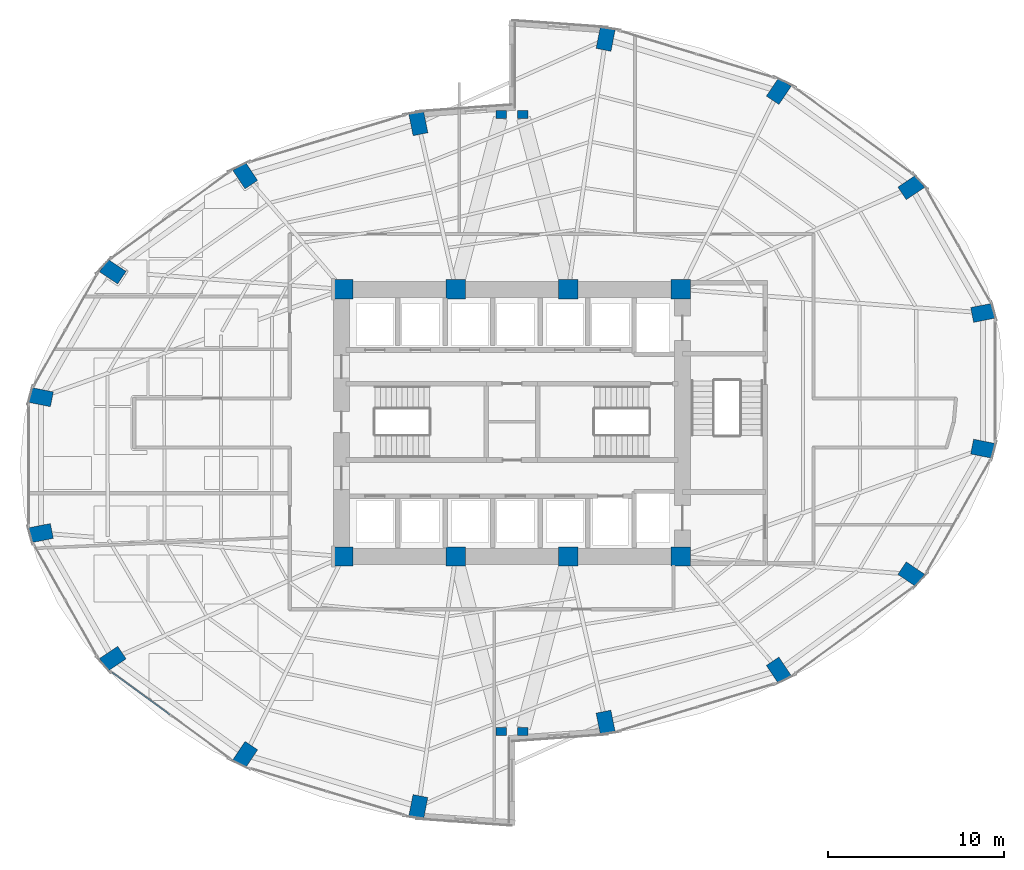
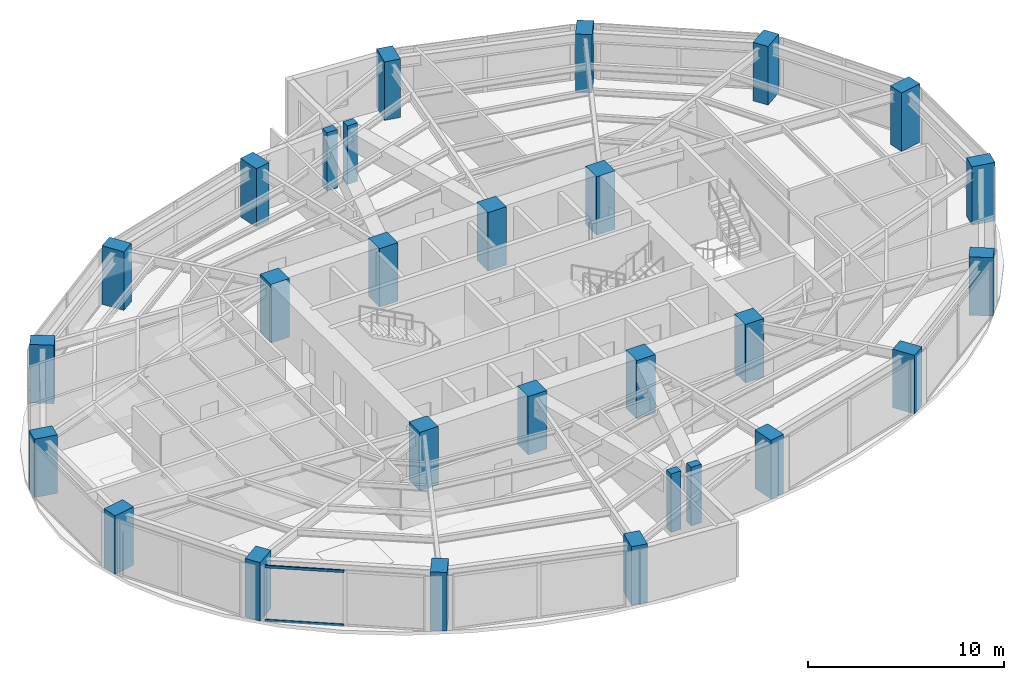
# One storey, part 1 of 24: 28 columns, 2 members, 1 element without a shape of its own.
"""IFC4 building model written with IfcOpenShell, lengths in metres."""

from ifc_helpers import new_model, si_unit, direction, frame, origin, origin_2d, place, context, subcontext, project, spatial, rectangle, hollow_rectangle, extrude, material, layer, layer_set, material_profile, profile_set, type_object, element, aggregate, save


model = new_model("IFC4")

# Units and contexts
model_context = context("Model", 3, precision=1e-05, world=origin(), true_north=direction((0.0, 1.0)))
body_context = subcontext(model_context, "Body", "Model", "MODEL_VIEW")
ifc_project = project(units=[si_unit("LENGTHUNIT", "METRE"), si_unit("AREAUNIT", "SQUARE_METRE"), si_unit("VOLUMEUNIT", "CUBIC_METRE"), si_unit("PLANEANGLEUNIT", "RADIAN"), si_unit("MASSUNIT", "GRAM", prefix="KILO")], contexts=[model_context])

# Site, building, storey
site_placement = place(None, origin())
site = spatial("IfcSite", under=ifc_project, at=site_placement, CompositionType="ELEMENT")
building_placement = place(site_placement, origin())
building = spatial("IfcBuilding", under=site, at=building_placement, Name="Lazwardi Medical Tower", CompositionType="ELEMENT")
storey_placement = place(building_placement, frame((0.0, 0.0, 36.14404296875)))
storey = spatial("IfcBuildingStorey", under=building, at=storey_placement, Name="L08", CompositionType="ELEMENT", Elevation=36.14404296875)

# Columns
ifc_material_1 = material(Name="Concrete C80/95", Category="concrete")
ifc_material_profile_1 = material_profile(ifc_material_1, rectangle(XDim=1.10009765625, YDim=1.10009765625, at=origin_2d()), Name="RC 1100x1100")
ifc_profile_set_1 = profile_set([ifc_material_profile_1], Name="Concrete C80/95")
column_type_1 = type_object("IfcColumnType", Name="COL-CC-L", PredefinedType="COLUMN", material=ifc_profile_set_1)
for number, where, z_axis, x_axis, name in (
    (1, (26.39990234375, 20.39990234375, 0.0), (0.0, 0.0, 1.0), (1.0, 0.0, 0.0), "Core column CC-01 CC1 L08"),
    (2, (32.800048828125, 20.39990234375, 0.0), (0.0, 0.0, 1.0), (1.0, 0.0, 0.0), "Core column CC-01 CC2 L08"),
    (3, (39.199951171875, 20.39990234375, 0.0), (0.0, 0.0, 1.0), (1.0, 0.0, 0.0), "Core column CC-01 CC3 L08"),
    (4, (45.60009765625, 20.39990234375, 0.0), (0.0, 0.0, 1.0), (1.0, 0.0, 0.0), "Core column CC-01 CC4 L08"),
    (5, (45.60009765625, 35.60009765625, 0.0), (0.0, 0.0, 1.0), (1.0, 0.0, 0.0), "Core column CC-01 CC5 L08"),
    (6, (39.199951171875, 35.60009765625, 0.0), (0.0, 0.0, 1.0), (1.0, 0.0, 0.0), "Core column CC-01 CC6 L08"),
    (7, (32.800048828125, 35.60009765625, 0.0), (0.0, 0.0, 1.0), (1.0, 0.0, 0.0), "Core column CC-01 CC7 L08"),
    (8, (26.39990234375, 35.60009765625, 0.0), (0.0, 0.0, 1.0), (1.0, 0.0, 0.0), "Core column CC-01 CC8 L08"),
):
    element("IfcColumn", number, at=place(storey_placement, frame(where, z_axis=z_axis, x_axis=x_axis)), inside=storey, type_object=column_type_1, Name=name, PredefinedType="COLUMN", context=body_context, shape_type="SweptSolid", body=[
        extrude(rectangle(XDim=1.10009765625, YDim=1.10009765625, at=origin_2d()), origin(), (0.0, 0.0, 1.0), 3.64794921875),
    ])
ifc_material_2 = material(Name="Concrete C70/85", Category="concrete")
ifc_material_profile_2 = material_profile(ifc_material_2, rectangle(XDim=1.25, YDim=0.860107421875, at=origin_2d()), Name="CFT-RECT 1250x860")
ifc_profile_set_2 = profile_set([ifc_material_profile_2], Name="Concrete C70/85")
column_type_2 = type_object("IfcColumnType", Name="COL-MC-Z1", PredefinedType="COLUMN", material=ifc_profile_set_2)
for number, where, z_axis, x_axis, name in (
    (9, (41.330810546875, 10.955810546875, 0.0), (0.0, 0.0, 1.0), (0.195090322016, -0.980785280403, 0.0), "Mega column MC-03 M01 L08"),
    (10, (51.180908203125, 13.916015625, 0.0), (0.0, 0.0, 1.0), (0.55557023302, -0.831469612303, 0.0), "Mega column MC-03 M02 L08"),
    (11, (58.719970703125, 19.3857421875, 0.0), (0.0, 0.0, 1.0), (0.831469612303, -0.55557023302, 0.0), "Mega column MC-03 M03 L08"),
    (12, (62.800048828125, 26.5322265625, 0.0), (0.0, 0.0, 1.0), (0.980785280403, -0.195090322016, 0.0), "Mega column MC-03 M04 L08"),
    (13, (62.800048828125, 34.267578125, 0.0), (0.0, 0.0, 1.0), (0.980785280403, 0.195090322016, 0.0), "Mega column MC-03 M05 L08"),
    (14, (58.719970703125, 41.414306640625, 0.0), (0.0, 0.0, 1.0), (0.831469612303, 0.55557023302, 0.0), "Mega column MC-03 M06 L08"),
    (15, (51.180908203125, 46.8837890625, 0.0), (0.0, 0.0, 1.0), (0.55557023302, 0.831469612303, 0.0), "Mega column MC-03 M07 L08"),
    (16, (41.330810546875, 49.843994140625, 0.0), (0.0, 0.0, 1.0), (0.195090322016, 0.980785280403, 0.0), "Mega column MC-03 M08 L08"),
    (17, (30.669189453125, 45.044189453125, 0.0), (0.0, 0.0, 1.0), (-0.195090322016, 0.980785280403, 0.0), "Mega column MC-03 M09 L08"),
    (18, (20.819091796875, 42.083984375, 0.0), (0.0, 0.0, 1.0), (-0.55557023302, 0.831469612303, 0.0), "Mega column MC-03 M10 L08"),
    (19, (13.280029296875, 36.6142578125, 0.0), (0.0, 0.0, 1.0), (-0.831469612303, 0.55557023302, 0.0), "Mega column MC-03 M11 L08"),
    (20, (9.199951171875, 29.4677734375, 0.0), (0.0, 0.0, 1.0), (-0.980785280403, 0.195090322016, 0.0), "Mega column MC-03 M12 L08"),
    (21, (9.199951171875, 21.732421875, 0.0), (0.0, 0.0, 1.0), (-0.980785280403, -0.195090322016, 0.0), "Mega column MC-03 M13 L08"),
    (22, (13.280029296875, 14.585693359375, 0.0), (0.0, 0.0, 1.0), (-0.831469612303, -0.55557023302, 0.0), "Mega column MC-03 M14 L08"),
    (23, (20.819091796875, 9.1162109375, 0.0), (0.0, 0.0, 1.0), (-0.55557023302, -0.831469612303, 0.0), "Mega column MC-03 M15 L08"),
    (24, (30.669189453125, 6.156005859375, 0.0), (0.0, 0.0, 1.0), (-0.195090322016, -0.980785280403, 0.0), "Mega column MC-03 M16 L08"),
):
    element("IfcColumn", number, at=place(storey_placement, frame(where, z_axis=z_axis, x_axis=x_axis)), inside=storey, type_object=column_type_2, Name=name, PredefinedType="COLUMN", context=body_context, shape_type="SweptSolid", body=[
        extrude(rectangle(XDim=1.25, YDim=0.860107421875, at=origin_2d()), origin(), (0.0, 0.0, 1.0), 3.64794921875),
    ])
ifc_material_3 = material(Name="Concrete C60/75", Category="concrete")
ifc_material_profile_3 = material_profile(ifc_material_3, rectangle(XDim=0.60009765625, YDim=0.449951171875, at=origin_2d()), Name="RC 600x450")
ifc_profile_set_3 = profile_set([ifc_material_profile_3], Name="Concrete C60/75")
column_type_3 = type_object("IfcColumnType", Name="COL-PL-IW", PredefinedType="PILASTER", material=ifc_profile_set_3)
for number, where, z_axis, x_axis, name in (
    (25, (35.39990234375, 45.550048828125, 0.0), (0.0, 0.0, 1.0), (1.0, 0.0, 0.0), "Iwan pilaster column PL-C1 PL1 L08"),
    (26, (36.60009765625, 45.550048828125, 0.0), (0.0, 0.0, 1.0), (1.0, 0.0, 0.0), "Iwan pilaster column PL-C1 PL2 L08"),
    (27, (35.39990234375, 10.449951171875, 0.0), (0.0, 0.0, 1.0), (1.0, 0.0, 0.0), "Iwan pilaster column PL-C1 PL3 L08"),
    (28, (36.60009765625, 10.449951171875, 0.0), (0.0, 0.0, 1.0), (1.0, 0.0, 0.0), "Iwan pilaster column PL-C1 PL4 L08"),
):
    element("IfcColumn", number, at=place(storey_placement, frame(where, z_axis=z_axis, x_axis=x_axis)), inside=storey, type_object=column_type_3, Name=name, PredefinedType="PILASTER", context=body_context, shape_type="SweptSolid", body=[
        extrude(rectangle(XDim=0.60009765625, YDim=0.449951171875, at=origin_2d()), origin(), (0.0, 0.0, 1.0), 3.64794921875),
    ])

# Curtain wall, members
ifc_material_4 = material(Name="Anodised bronze aluminium and solar control glazing", Category="aluminium")
ifc_layer = layer(ifc_material_4, 0.199951171875)
ifc_layer_set = layer_set([ifc_layer], Name="Anodised bronze aluminium and solar control glazing")
curtain_wall_type = type_object("IfcCurtainWallType", Name="CW-SYS-02", PredefinedType="NOTDEFINED", material=ifc_layer_set)
curtain_wall_placement = place(storey_placement, origin())
curtain_wall = element("IfcCurtainWall", 29, at=curtain_wall_placement, inside=storey, type_object=curtain_wall_type, Name="L08 Unitised bronze curtain wall CW-02", PredefinedType="NOTDEFINED")
ifc_material_5 = material(Name="Anodised bronze aluminium", Category="aluminium")
ifc_material_profile_4 = material_profile(ifc_material_5, hollow_rectangle(XDim=0.074951171875, YDim=0.159912109375, WallThickness=0.00390625, at=origin_2d()), Name="ALU-TRANSOM 160x75x4")
ifc_profile_set_4 = profile_set([ifc_material_profile_4], Name="Anodised bronze aluminium")
member_type = type_object("IfcMemberType", Name="CW-TRN-01", PredefinedType="USERDEFINED", material=ifc_profile_set_4)
member_1_placement = place(storey_placement, frame((13.239990234375, 13.805419921875, 0.037353515625), z_axis=(0.807189956199, -0.590291770748, 0.0), x_axis=(0.590291770748, 0.807189956199, 0.0)))
member_1 = element("IfcMember", 30, at=member_1_placement, type_object=member_type, Name="CW-02 transom 1.1", ObjectType="TRANSOM", PredefinedType="USERDEFINED", context=body_context, shape_type="SweptSolid", body=[
    extrude(hollow_rectangle(XDim=0.074951171875, YDim=0.159912109375, WallThickness=0.00390625, at=origin_2d()), origin(), (0.0, 0.0, 1.0), 4.070068359375),
])
member_2_placement = place(storey_placement, frame((13.239990234375, 13.805419921875, 3.390380859375), z_axis=(0.807189956199, -0.590291770748, 0.0), x_axis=(0.590291770748, 0.807189956199, 0.0)))
member_2 = element("IfcMember", 31, at=member_2_placement, type_object=member_type, Name="CW-02 transom 1.2", ObjectType="TRANSOM", PredefinedType="USERDEFINED", context=body_context, shape_type="SweptSolid", body=[
    extrude(hollow_rectangle(XDim=0.074951171875, YDim=0.159912109375, WallThickness=0.00390625, at=origin_2d()), origin(), (0.0, 0.0, 1.0), 4.070068359375),
])
aggregate(curtain_wall, [member_1, member_2])

save(model, "model.ifc")
